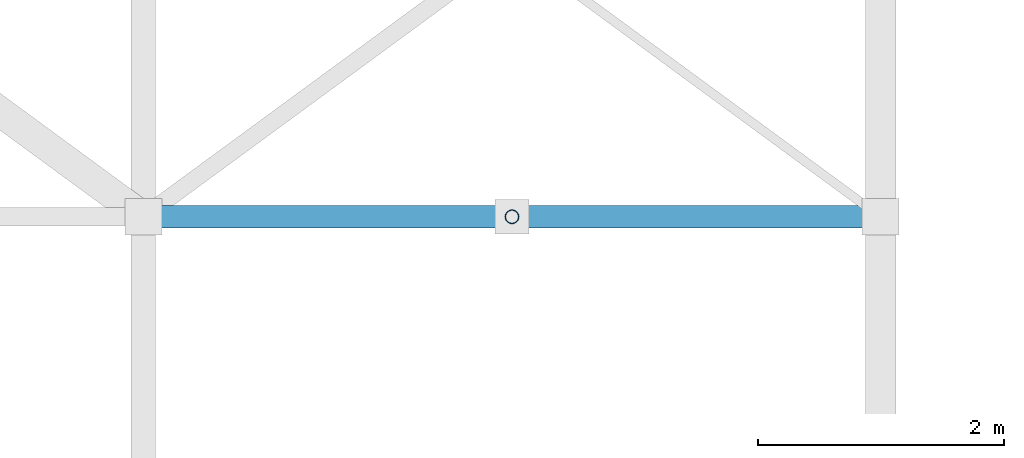
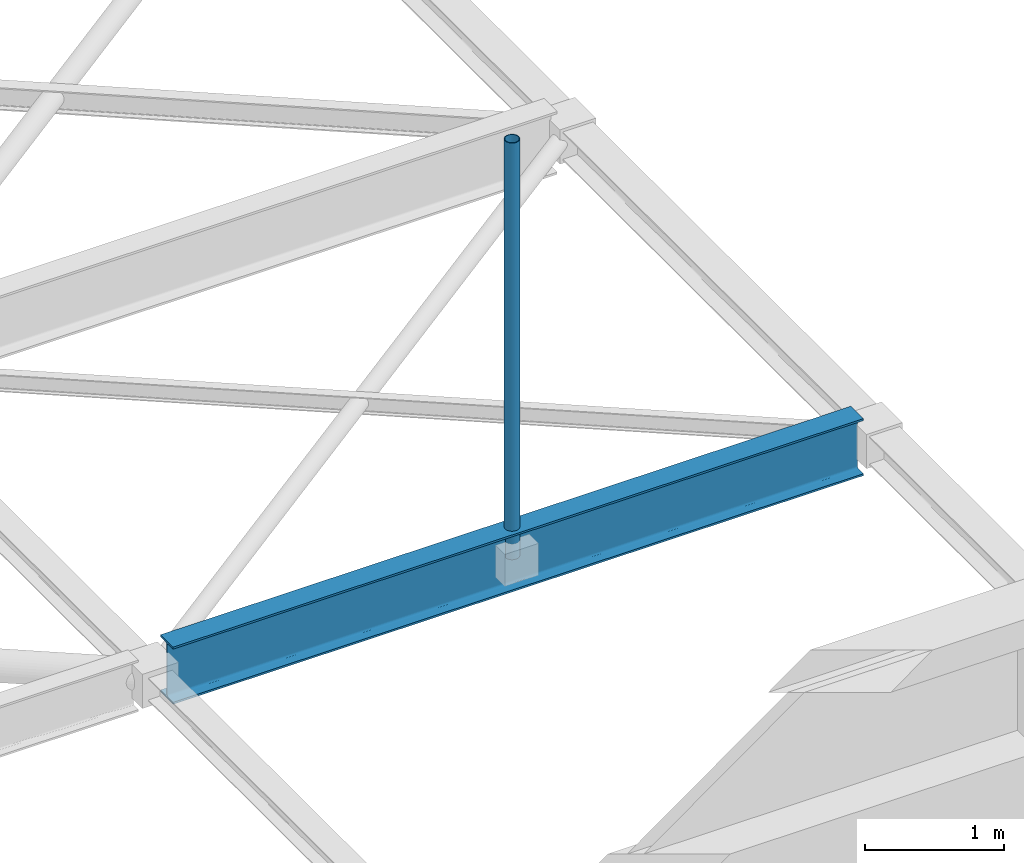
# One storey, part 36 of 93: 1 beam, 1 member.
"""IFC4 building model written with IfcOpenShell, lengths in metres."""

from ifc_helpers import new_model, si_unit, direction, frame, origin, origin_2d, place, context, subcontext, project, spatial, hollow_circle, i_section, extrude, material, material_profile, profile_set, type_object, element, save


model = new_model("IFC4")

# Units and contexts
model_context = context("Model", 3, precision=1e-05, world=origin(), true_north=direction((0.0, 1.0)))
body_context = subcontext(model_context, "Body", "Model", "MODEL_VIEW")
ifc_project = project(units=[si_unit("LENGTHUNIT", "METRE"), si_unit("AREAUNIT", "SQUARE_METRE"), si_unit("VOLUMEUNIT", "CUBIC_METRE"), si_unit("PLANEANGLEUNIT", "RADIAN"), si_unit("MASSUNIT", "GRAM", prefix="KILO")], contexts=[model_context])

# Site, building, storey
site_placement = place(None, origin())
site = spatial("IfcSite", under=ifc_project, at=site_placement, CompositionType="ELEMENT")
building_placement = place(site_placement, origin())
building = spatial("IfcBuilding", under=site, at=building_placement, Name="Varnakota Cinema and Media Centre", CompositionType="ELEMENT")
storey_placement = place(building_placement, frame((0.0, 0.0, 12.0)))
storey = spatial("IfcBuildingStorey", under=building, at=storey_placement, Name="L03", CompositionType="ELEMENT", Elevation=12.0)

# Beam
ifc_material_1 = material(Name="Structural steel Grade 350 (E350)", Category="steel")
ifc_material_profile_1 = material_profile(ifc_material_1, i_section(OverallWidth=0.179931640625, OverallDepth=0.5, WebThickness=0.01025390625, FlangeThickness=0.01708984375, FilletRadius=0.01708984375, at=origin_2d()), Name="ISMB 500")
ifc_profile_set_1 = profile_set([ifc_material_profile_1], Name="Structural steel Grade 350 (E350)")
beam_type = type_object("IfcBeamType", Name="BM-ST-ISMB500", PredefinedType="BEAM", material=ifc_profile_set_1)
beam_placement = place(storey_placement, frame((123.139892578125, 4.39990234375, 1.300048828125), z_axis=(1.0, 0.0, 0.0), x_axis=(0.0, 1.0, 0.0)))
element("IfcBeam", 1, at=beam_placement, inside=storey, type_object=beam_type, Name="V1 rigging beam 9.1", PredefinedType="BEAM", context=body_context, shape_type="SweptSolid", body=[
    extrude(i_section(OverallWidth=0.179931640625, OverallDepth=0.5, WebThickness=0.01025390625, FlangeThickness=0.01708984375, FilletRadius=0.01708984375, at=origin_2d()), origin(), (0.0, 0.0, 1.0), 5.72021484375),
])

# Member
ifc_material_2 = material(Name="Structural steel S355 (YSt 355)", Category="steel")
ifc_material_profile_2 = material_profile(ifc_material_2, hollow_circle(Radius=0.05712890625, WallThickness=0.00537109375, at=origin_2d()), Name="CHS 114.3x5.4")
ifc_profile_set_2 = profile_set([ifc_material_profile_2], Name="Structural steel S355 (YSt 355)")
member_type = type_object("IfcMemberType", Name="MEM-ST-CHS114_3x5_4", PredefinedType="BRACE", material=ifc_profile_set_2)
member_placement = place(storey_placement, frame((126.0, 4.39990234375, 1.300048828125), z_axis=(0.0, 0.0, 1.0), x_axis=(1.0, 0.0, 0.0)))
element("IfcMember", 2, at=member_placement, inside=storey, type_object=member_type, Name="V1 rigging hanger 9.1", PredefinedType="BRACE", context=body_context, shape_type="SweptSolid", body=[
    extrude(hollow_circle(Radius=0.05712890625, WallThickness=0.00537109375, at=origin_2d()), origin(), (0.0, 0.0, 1.0), 3.64990234375),
])

save(model, "model.ifc")
